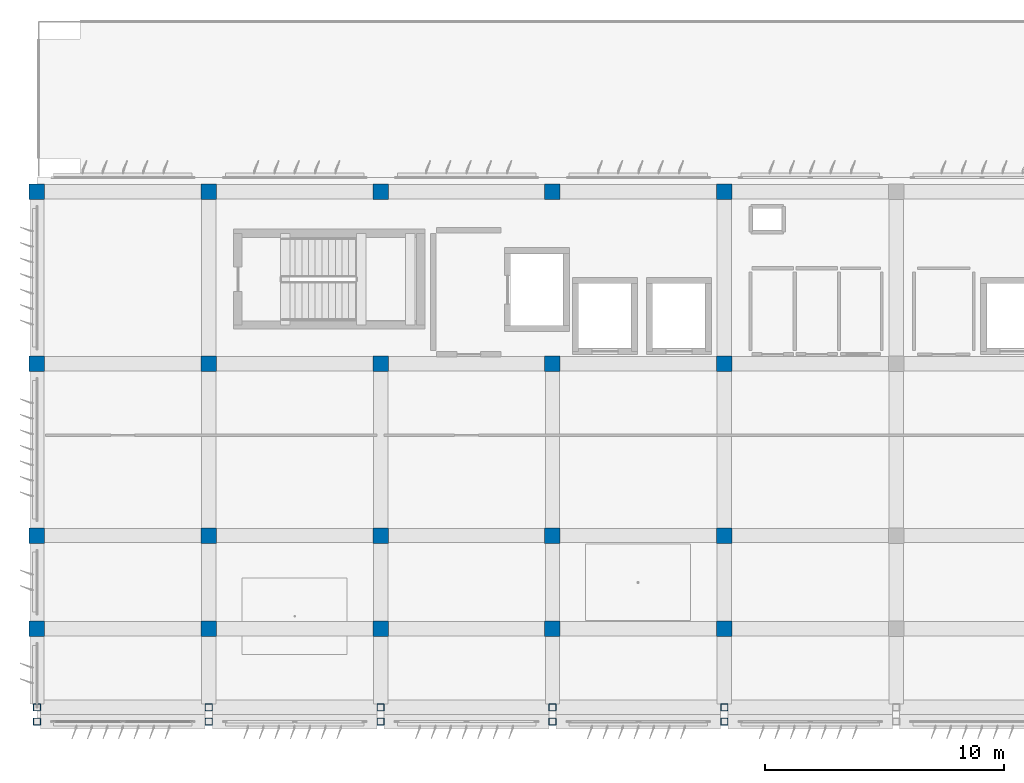
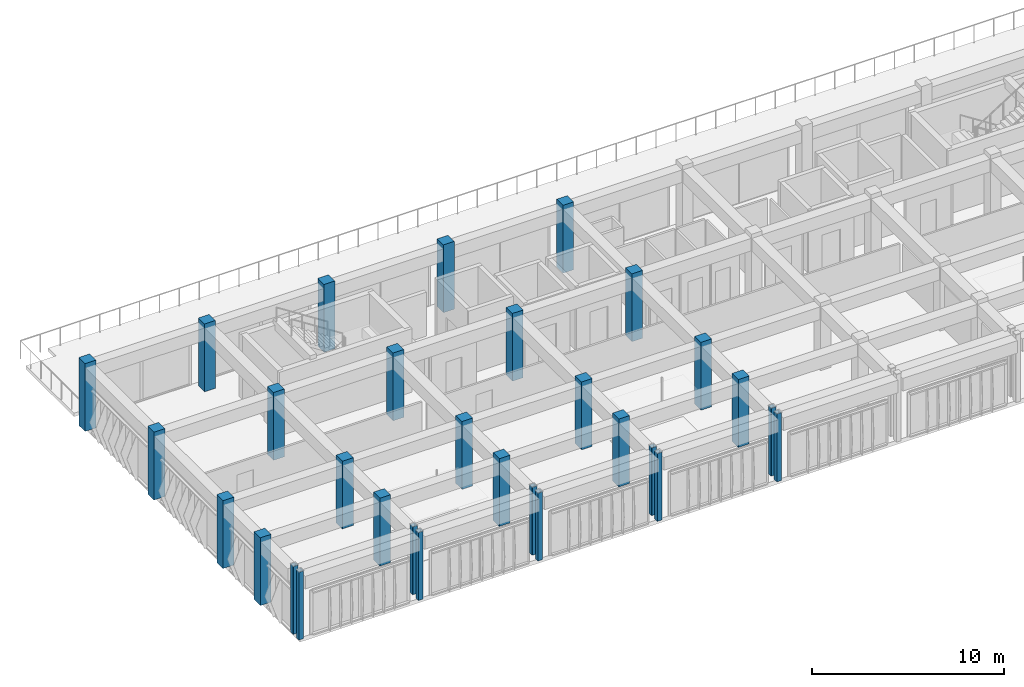
# One storey, part 1 of 42: 30 columns.
"""IFC4 building model written with IfcOpenShell, lengths in metres."""

from ifc_helpers import new_model, si_unit, direction, frame, origin, origin_2d, place, context, subcontext, project, spatial, rectangle, hollow_rectangle, extrude, material, material_profile, profile_set, type_object, element, save


model = new_model("IFC4")

# Units and contexts
model_context = context("Model", 3, precision=1e-05, world=origin(), true_north=direction((0.0, 1.0)))
body_context = subcontext(model_context, "Body", "Model", "MODEL_VIEW")
ifc_project = project(units=[si_unit("LENGTHUNIT", "METRE"), si_unit("AREAUNIT", "SQUARE_METRE"), si_unit("VOLUMEUNIT", "CUBIC_METRE"), si_unit("PLANEANGLEUNIT", "RADIAN"), si_unit("MASSUNIT", "GRAM", prefix="KILO")], contexts=[model_context])

# Site, building, storey
site_placement = place(None, origin())
site = spatial("IfcSite", under=ifc_project, at=site_placement, CompositionType="ELEMENT")
building_placement = place(site_placement, origin())
building = spatial("IfcBuilding", under=site, at=building_placement, Name="Kazehaya Institute of Natural Sciences", CompositionType="ELEMENT")
storey_placement = place(building_placement, frame((0.0, 0.0, 37.6201171875)))
storey = spatial("IfcBuildingStorey", under=building, at=storey_placement, Name="L08", CompositionType="ELEMENT", Elevation=37.6201171875)

# Columns
ifc_material_1 = material(Name="Concrete Fc36", Category="concrete")
ifc_material_profile_1 = material_profile(ifc_material_1, rectangle(XDim=0.64990234375, YDim=0.64990234375, at=origin_2d()), Name="RC-650x650")
ifc_profile_set_1 = profile_set([ifc_material_profile_1], Name="Concrete Fc36")
column_type_1 = type_object("IfcColumnType", Name="COL-RC650", PredefinedType="COLUMN", material=ifc_profile_set_1)
for number, where, z_axis, x_axis, name in (
    (1, (54.60009765625, 10.10009765625, 0.0), (0.0, 0.0, 1.0), (1.0, 0.0, 0.0), "L08 column COL-L08-1301"),
    (2, (61.800048828125, 10.10009765625, 0.0), (0.0, 0.0, 1.0), (1.0, 0.0, 0.0), "L08 column COL-L08-1302"),
    (3, (69.0, 10.10009765625, 0.0), (0.0, 0.0, 1.0), (1.0, 0.0, 0.0), "L08 column COL-L08-1303"),
    (4, (76.199951171875, 10.10009765625, 0.0), (0.0, 0.0, 1.0), (1.0, 0.0, 0.0), "L08 column COL-L08-1304"),
    (5, (83.39990234375, 10.10009765625, 0.0), (0.0, 0.0, 1.0), (1.0, 0.0, 0.0), "L08 column COL-L08-1305"),
    (6, (54.60009765625, 14.0, 0.0), (0.0, 0.0, 1.0), (1.0, 0.0, 0.0), "L08 column COL-L08-1311"),
    (7, (61.800048828125, 14.0, 0.0), (0.0, 0.0, 1.0), (1.0, 0.0, 0.0), "L08 column COL-L08-1312"),
    (8, (69.0, 14.0, 0.0), (0.0, 0.0, 1.0), (1.0, 0.0, 0.0), "L08 column COL-L08-1313"),
    (9, (76.199951171875, 14.0, 0.0), (0.0, 0.0, 1.0), (1.0, 0.0, 0.0), "L08 column COL-L08-1314"),
    (10, (83.39990234375, 14.0, 0.0), (0.0, 0.0, 1.0), (1.0, 0.0, 0.0), "L08 column COL-L08-1315"),
    (11, (54.60009765625, 21.199951171875, 0.0), (0.0, 0.0, 1.0), (1.0, 0.0, 0.0), "L08 column COL-L08-1321"),
    (12, (61.800048828125, 21.199951171875, 0.0), (0.0, 0.0, 1.0), (1.0, 0.0, 0.0), "L08 column COL-L08-1322"),
    (13, (69.0, 21.199951171875, 0.0), (0.0, 0.0, 1.0), (1.0, 0.0, 0.0), "L08 column COL-L08-1323"),
    (14, (76.199951171875, 21.199951171875, 0.0), (0.0, 0.0, 1.0), (1.0, 0.0, 0.0), "L08 column COL-L08-1324"),
    (15, (83.39990234375, 21.199951171875, 0.0), (0.0, 0.0, 1.0), (1.0, 0.0, 0.0), "L08 column COL-L08-1325"),
    (16, (54.60009765625, 28.39990234375, 0.0), (0.0, 0.0, 1.0), (1.0, 0.0, 0.0), "L08 column COL-L08-1331"),
    (17, (61.800048828125, 28.39990234375, 0.0), (0.0, 0.0, 1.0), (1.0, 0.0, 0.0), "L08 column COL-L08-1332"),
    (18, (69.0, 28.39990234375, 0.0), (0.0, 0.0, 1.0), (1.0, 0.0, 0.0), "L08 column COL-L08-1333"),
    (19, (76.199951171875, 28.39990234375, 0.0), (0.0, 0.0, 1.0), (1.0, 0.0, 0.0), "L08 column COL-L08-1334"),
    (20, (83.39990234375, 28.39990234375, 0.0), (0.0, 0.0, 1.0), (1.0, 0.0, 0.0), "L08 column COL-L08-1335"),
):
    element("IfcColumn", number, at=place(storey_placement, frame(where, z_axis=z_axis, x_axis=x_axis)), inside=storey, type_object=column_type_1, Name=name, PredefinedType="COLUMN", context=body_context, shape_type="SweptSolid", body=[
        extrude(rectangle(XDim=0.64990234375, YDim=0.64990234375, at=origin_2d()), origin(), (0.0, 0.0, 1.0), 4.31982421875),
    ])
ifc_material_2 = material(Name="Structural steel BCR295", Category="steel")
ifc_material_profile_2 = material_profile(ifc_material_2, hollow_rectangle(XDim=0.300048828125, YDim=0.300048828125, WallThickness=0.011962890625, InnerFilletRadius=0.01806640625, OuterFilletRadius=0.030029296875, at=origin_2d()), Name="BCR-300x300x12")
ifc_profile_set_2 = profile_set([ifc_material_profile_2], Name="Structural steel BCR295")
column_type_2 = type_object("IfcColumnType", Name="COL-STL-BCR300", PredefinedType="COLUMN", material=ifc_profile_set_2)
for number, where, z_axis, x_axis, name in (
    (21, (54.60009765625, 6.199951171875, 0.0), (0.0, 0.0, 1.0), (1.0, 0.0, 0.0), "L08 column COL-L08-1281"),
    (22, (61.800048828125, 6.199951171875, 0.0), (0.0, 0.0, 1.0), (1.0, 0.0, 0.0), "L08 column COL-L08-1282"),
    (23, (69.0, 6.199951171875, 0.0), (0.0, 0.0, 1.0), (1.0, 0.0, 0.0), "L08 column COL-L08-1283"),
    (24, (76.199951171875, 6.199951171875, 0.0), (0.0, 0.0, 1.0), (1.0, 0.0, 0.0), "L08 column COL-L08-1284"),
    (25, (83.39990234375, 6.199951171875, 0.0), (0.0, 0.0, 1.0), (1.0, 0.0, 0.0), "L08 column COL-L08-1285"),
    (26, (54.60009765625, 6.800048828125, 0.0), (0.0, 0.0, 1.0), (1.0, 0.0, 0.0), "L08 column COL-L08-1291"),
    (27, (61.800048828125, 6.800048828125, 0.0), (0.0, 0.0, 1.0), (1.0, 0.0, 0.0), "L08 column COL-L08-1292"),
    (28, (69.0, 6.800048828125, 0.0), (0.0, 0.0, 1.0), (1.0, 0.0, 0.0), "L08 column COL-L08-1293"),
    (29, (76.199951171875, 6.800048828125, 0.0), (0.0, 0.0, 1.0), (1.0, 0.0, 0.0), "L08 column COL-L08-1294"),
    (30, (83.39990234375, 6.800048828125, 0.0), (0.0, 0.0, 1.0), (1.0, 0.0, 0.0), "L08 column COL-L08-1295"),
):
    element("IfcColumn", number, at=place(storey_placement, frame(where, z_axis=z_axis, x_axis=x_axis)), inside=storey, type_object=column_type_2, Name=name, PredefinedType="COLUMN", context=body_context, shape_type="SweptSolid", body=[
        extrude(hollow_rectangle(XDim=0.300048828125, YDim=0.300048828125, WallThickness=0.011962890625, InnerFilletRadius=0.01806640625, OuterFilletRadius=0.030029296875, at=origin_2d()), origin(), (0.0, 0.0, 1.0), 4.31982421875),
    ])

save(model, "model.ifc")
